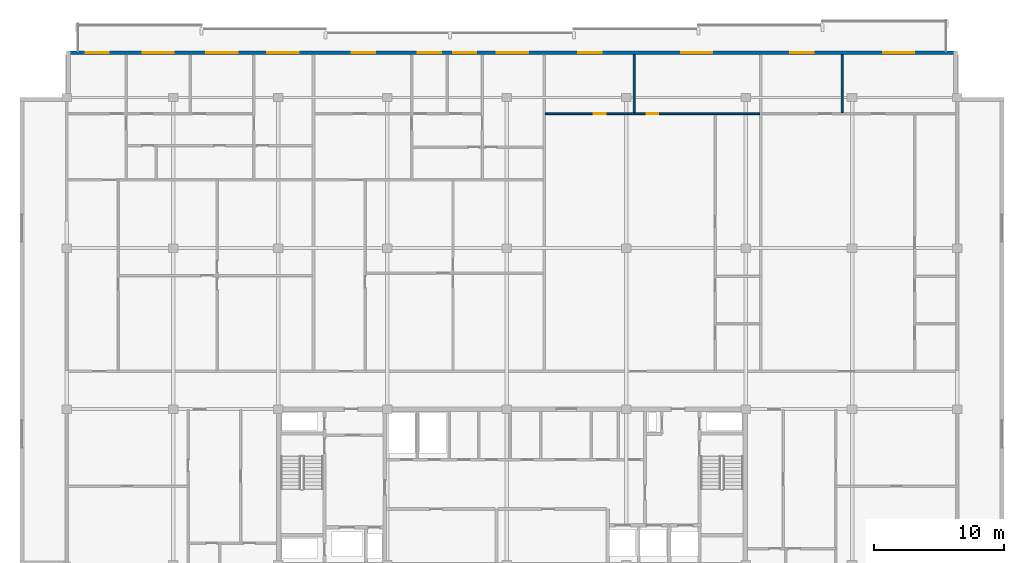
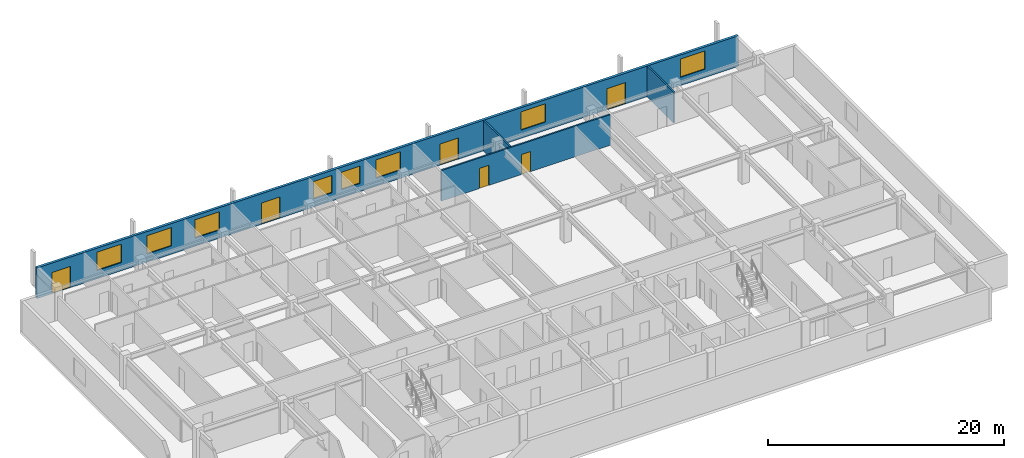
# One storey, part 8 of 11: 8 windows, 6 doors, 4 walls, 14 openings.
"""IFC4 building model written with IfcOpenShell, lengths in metres."""

from ifc_helpers import new_model, si_unit, direction, frame, frame_2d, origin, place, context, subcontext, project, spatial, rectangle, extrude, material, layer, layer_set, type_object, element, fill, save


model = new_model("IFC4")

# Units and contexts
model_context = context("Model", 3, precision=1e-05, world=origin(), true_north=direction((0.0, 1.0)))
body_context = subcontext(model_context, "Body", "Model", "MODEL_VIEW")
ifc_project = project(units=[si_unit("LENGTHUNIT", "METRE"), si_unit("AREAUNIT", "SQUARE_METRE"), si_unit("VOLUMEUNIT", "CUBIC_METRE"), si_unit("PLANEANGLEUNIT", "RADIAN"), si_unit("MASSUNIT", "GRAM", prefix="KILO")], contexts=[model_context])

# Site, building, storey
site_placement = place(None, origin())
site = spatial("IfcSite", under=ifc_project, at=site_placement, CompositionType="ELEMENT")
building_placement = place(site_placement, origin())
building = spatial("IfcBuilding", under=site, at=building_placement, Name="Korimba Cascade Residences", CompositionType="ELEMENT")
storey_placement = place(building_placement, frame((0.0, 0.0, 252.800048828125)))
storey = spatial("IfcBuildingStorey", under=building, at=storey_placement, Name="L73", CompositionType="ELEMENT", Elevation=252.800048828125)

# Wall, openings, doors, windows
ifc_material_1 = material(Name="Precast concrete C40/50", Category="concrete")
ifc_layer_1 = layer(ifc_material_1, 0.25)
ifc_layer_set_1 = layer_set([ifc_layer_1], Name="Precast concrete C40/50")
wall_type_1 = type_object("IfcWallType", Name="EW-LOG-250", PredefinedType="STANDARD", material=ifc_layer_set_1)
wall_1_placement = place(storey_placement, frame((128.39990234375, 94.64990234375, 0.0), z_axis=(0.0, 0.0, 1.0), x_axis=(-1.0, 0.0, 0.0)))
wall_1 = element("IfcWall", 1, at=wall_1_placement, inside=storey, type_object=wall_type_1, Name="L73 T1 Perimeter Stone Wall E06", PredefinedType="STANDARD", context=body_context, shape_type="SweptSolid", body=[
    extrude(rectangle(XDim=68.599853515625, YDim=0.25, at=frame_2d((34.2998046875, 0.0))), origin(), (0.0, 0.0, 1.0), 3.169921875),
])
opening_1_placement = place(wall_1_placement, frame((60.360107421875, 0.0, 0.85009765625)))
opening_1 = element("IfcOpeningElement", 2, at=opening_1_placement, cuts=wall_1, Name="Opening W-01", PredefinedType="OPENING", context=body_context, shape_type="SweptSolid", body=[
    extrude(rectangle(XDim=2.39990234375, YDim=1.89990234375, at=frame_2d((1.199951171875, 0.949951171875))), frame((0.0, 0.135009765625, 0.0), z_axis=(0.0, -1.0, 0.0), x_axis=(1.0, 0.0, 0.0)), (0.0, 0.0, 1.0), 0.27001953125),
])
opening_2_placement = place(wall_1_placement, frame((55.43994140625, 0.0, 0.85009765625)))
opening_2 = element("IfcOpeningElement", 3, at=opening_2_placement, cuts=wall_1, Name="Opening W-01", PredefinedType="OPENING", context=body_context, shape_type="SweptSolid", body=[
    extrude(rectangle(XDim=2.39990234375, YDim=1.89990234375, at=frame_2d((1.199951171875, 0.949951171875))), frame((0.0, 0.135009765625, 0.0), z_axis=(0.0, -1.0, 0.0), x_axis=(1.0, 0.0, 0.0)), (0.0, 0.0, 1.0), 0.27001953125),
])
opening_3_placement = place(wall_1_placement, frame((65.35009765625, 0.0, 0.0)))
opening_3 = element("IfcOpeningElement", 4, at=opening_3_placement, cuts=wall_1, Name="Opening D-LG1", PredefinedType="OPENING", context=body_context, shape_type="SweptSolid", body=[
    extrude(rectangle(XDim=1.800048828125, YDim=2.199951171875, at=frame_2d((0.89990234375, 1.10009765625))), frame((0.0, 0.135009765625, 0.0), z_axis=(0.0, -1.0, 0.0), x_axis=(1.0, 0.0, 0.0)), (0.0, 0.0, 1.0), 0.27001953125),
])
opening_4_placement = place(wall_1_placement, frame((50.74560546875, 0.0, 0.85009765625)))
opening_4 = element("IfcOpeningElement", 5, at=opening_4_placement, cuts=wall_1, Name="Opening W-01", PredefinedType="OPENING", context=body_context, shape_type="SweptSolid", body=[
    extrude(rectangle(XDim=2.39990234375, YDim=1.89990234375, at=frame_2d((1.199951171875, 0.949951171875))), frame((0.0, 0.135009765625, 0.0), z_axis=(0.0, -1.0, 0.0), x_axis=(1.0, 0.0, 0.0)), (0.0, 0.0, 1.0), 0.27001953125),
])
opening_5_placement = place(wall_1_placement, frame((39.760498046875, 0.0, 0.85009765625)))
opening_5 = element("IfcOpeningElement", 6, at=opening_5_placement, cuts=wall_1, Name="Opening W-02", PredefinedType="OPENING", context=body_context, shape_type="SweptSolid", body=[
    extrude(rectangle(XDim=1.800048828125, YDim=1.800048828125, at=frame_2d((0.89990234375, 0.89990234375))), frame((0.0, 0.135009765625, 0.0), z_axis=(0.0, -1.0, 0.0), x_axis=(1.0, 0.0, 0.0)), (0.0, 0.0, 1.0), 0.27001953125),
])
opening_6_placement = place(wall_1_placement, frame((37.041015625, 0.0, 0.85009765625)))
opening_6 = element("IfcOpeningElement", 7, at=opening_6_placement, cuts=wall_1, Name="Opening W-02", PredefinedType="OPENING", context=body_context, shape_type="SweptSolid", body=[
    extrude(rectangle(XDim=1.800048828125, YDim=1.800048828125, at=frame_2d((0.89990234375, 0.89990234375))), frame((0.0, 0.135009765625, 0.0), z_axis=(0.0, -1.0, 0.0), x_axis=(1.0, 0.0, 0.0)), (0.0, 0.0, 1.0), 0.27001953125),
])
opening_7_placement = place(wall_1_placement, frame((44.845458984375, 0.0, 0.0)))
opening_7 = element("IfcOpeningElement", 8, at=opening_7_placement, cuts=wall_1, Name="Opening D-LG1", PredefinedType="OPENING", context=body_context, shape_type="SweptSolid", body=[
    extrude(rectangle(XDim=1.800048828125, YDim=2.199951171875, at=frame_2d((0.89990234375, 1.10009765625))), frame((0.0, 0.135009765625, 0.0), z_axis=(0.0, -1.0, 0.0), x_axis=(1.0, 0.0, 0.0)), (0.0, 0.0, 1.0), 0.27001953125),
])
opening_8_placement = place(wall_1_placement, frame((33.056396484375, 0.0, 0.85009765625)))
opening_8 = element("IfcOpeningElement", 9, at=opening_8_placement, cuts=wall_1, Name="Opening W-01", PredefinedType="OPENING", context=body_context, shape_type="SweptSolid", body=[
    extrude(rectangle(XDim=2.39990234375, YDim=1.89990234375, at=frame_2d((1.199951171875, 0.949951171875))), frame((0.0, 0.135009765625, 0.0), z_axis=(0.0, -1.0, 0.0), x_axis=(1.0, 0.0, 0.0)), (0.0, 0.0, 1.0), 0.27001953125),
])
opening_9_placement = place(wall_1_placement, frame((27.393798828125, 0.0, 0.0)))
opening_9 = element("IfcOpeningElement", 10, at=opening_9_placement, cuts=wall_1, Name="Opening D-LG1", PredefinedType="OPENING", context=body_context, shape_type="SweptSolid", body=[
    extrude(rectangle(XDim=1.800048828125, YDim=2.199951171875, at=frame_2d((0.89990234375, 1.10009765625))), frame((0.0, 0.135009765625, 0.0), z_axis=(0.0, -1.0, 0.0), x_axis=(1.0, 0.0, 0.0)), (0.0, 0.0, 1.0), 0.27001953125),
])
opening_10_placement = place(wall_1_placement, frame((18.878662109375, 0.0, 0.85009765625)))
opening_10 = element("IfcOpeningElement", 11, at=opening_10_placement, cuts=wall_1, Name="Opening W-01", PredefinedType="OPENING", context=body_context, shape_type="SweptSolid", body=[
    extrude(rectangle(XDim=2.39990234375, YDim=1.89990234375, at=frame_2d((1.199951171875, 0.949951171875))), frame((0.0, 0.135009765625, 0.0), z_axis=(0.0, -1.0, 0.0), x_axis=(1.0, 0.0, 0.0)), (0.0, 0.0, 1.0), 0.27001953125),
])
opening_11_placement = place(wall_1_placement, frame((11.048095703125, 0.0, 0.0)))
opening_11 = element("IfcOpeningElement", 12, at=opening_11_placement, cuts=wall_1, Name="Opening D-LG1", PredefinedType="OPENING", context=body_context, shape_type="SweptSolid", body=[
    extrude(rectangle(XDim=1.800048828125, YDim=2.199951171875, at=frame_2d((0.89990234375, 1.10009765625))), frame((0.0, 0.135009765625, 0.0), z_axis=(0.0, -1.0, 0.0), x_axis=(1.0, 0.0, 0.0)), (0.0, 0.0, 1.0), 0.27001953125),
])
opening_12_placement = place(wall_1_placement, frame((3.297607421875, 0.0, 0.85009765625)))
opening_12 = element("IfcOpeningElement", 13, at=opening_12_placement, cuts=wall_1, Name="Opening W-01", PredefinedType="OPENING", context=body_context, shape_type="SweptSolid", body=[
    extrude(rectangle(XDim=2.39990234375, YDim=1.89990234375, at=frame_2d((1.199951171875, 0.949951171875))), frame((0.0, 0.135009765625, 0.0), z_axis=(0.0, -1.0, 0.0), x_axis=(1.0, 0.0, 0.0)), (0.0, 0.0, 1.0), 0.27001953125),
])
ifc_material_2 = material(Name="Glazed Aluminium Loggia Sliding Door", Category="aluminium")
door_type_1 = type_object("IfcDoorType", Name="DR-EXT-LOG", OperationType="NOTDEFINED", PredefinedType="DOOR", material=ifc_material_2)
door_1_placement = place(opening_3_placement, origin())
door_1 = element("IfcDoor", 14, at=door_1_placement, inside=storey, type_object=door_type_1, Name="L73 T1 Loggia Sliding Door 5", OperationType="SLIDING_TO_LEFT", OverallHeight=2.199951171875, OverallWidth=1.800048828125, PredefinedType="DOOR", context=body_context, shape_type="SweptSolid", body=[
    extrude(rectangle(XDim=1.800048828125, YDim=2.199951171875, at=frame_2d((0.89990234375, 1.10009765625))), frame((0.0, 0.02490234375, 0.0), z_axis=(0.0, -1.0, 0.0), x_axis=(1.0, 0.0, 0.0)), (0.0, 0.0, 1.0), 0.050048828125),
])
fill(opening_3, door_1)
door_2_placement = place(opening_7_placement, origin())
door_2 = element("IfcDoor", 15, at=door_2_placement, inside=storey, type_object=door_type_1, Name="L73 T1 Loggia Sliding Door 9", OperationType="SLIDING_TO_LEFT", OverallHeight=2.199951171875, OverallWidth=1.800048828125, PredefinedType="DOOR", context=body_context, shape_type="SweptSolid", body=[
    extrude(rectangle(XDim=1.800048828125, YDim=2.199951171875, at=frame_2d((0.89990234375, 1.10009765625))), frame((0.0, 0.02490234375, 0.0), z_axis=(0.0, -1.0, 0.0), x_axis=(1.0, 0.0, 0.0)), (0.0, 0.0, 1.0), 0.050048828125),
])
fill(opening_7, door_2)
door_3_placement = place(opening_9_placement, origin())
door_3 = element("IfcDoor", 16, at=door_3_placement, inside=storey, type_object=door_type_1, Name="L73 T1 Loggia Sliding Door 11", OperationType="SLIDING_TO_LEFT", OverallHeight=2.199951171875, OverallWidth=1.800048828125, PredefinedType="DOOR", context=body_context, shape_type="SweptSolid", body=[
    extrude(rectangle(XDim=1.800048828125, YDim=2.199951171875, at=frame_2d((0.89990234375, 1.10009765625))), frame((0.0, 0.02490234375, 0.0), z_axis=(0.0, -1.0, 0.0), x_axis=(1.0, 0.0, 0.0)), (0.0, 0.0, 1.0), 0.050048828125),
])
fill(opening_9, door_3)
door_4_placement = place(opening_11_placement, origin())
door_4 = element("IfcDoor", 17, at=door_4_placement, inside=storey, type_object=door_type_1, Name="L73 T1 Loggia Sliding Door 13", OperationType="SLIDING_TO_LEFT", OverallHeight=2.199951171875, OverallWidth=1.800048828125, PredefinedType="DOOR", context=body_context, shape_type="SweptSolid", body=[
    extrude(rectangle(XDim=1.800048828125, YDim=2.199951171875, at=frame_2d((0.89990234375, 1.10009765625))), frame((0.0, 0.02490234375, 0.0), z_axis=(0.0, -1.0, 0.0), x_axis=(1.0, 0.0, 0.0)), (0.0, 0.0, 1.0), 0.050048828125),
])
fill(opening_11, door_4)
ifc_material_3 = material(Name="Double-Glazed Aluminium Window", Category="aluminium")
window_type_1 = type_object("IfcWindowType", Name="WIN-BED-1800", PartitioningType="SINGLE_PANEL", PredefinedType="WINDOW", material=ifc_material_3)
window_1_placement = place(opening_5_placement, origin())
window_1 = element("IfcWindow", 18, at=window_1_placement, inside=storey, type_object=window_type_1, Name="L73 T1 North Facade Window 7", OverallHeight=1.800048828125, OverallWidth=1.800048828125, PartitioningType="SINGLE_PANEL", PredefinedType="WINDOW", context=body_context, shape_type="SweptSolid", body=[
    extrude(rectangle(XDim=1.800048828125, YDim=1.800048828125, at=frame_2d((0.89990234375, 0.89990234375))), frame((0.0, 0.030029296875, 0.0), z_axis=(0.0, -1.0, 0.0), x_axis=(1.0, 0.0, 0.0)), (0.0, 0.0, 1.0), 0.06005859375),
])
fill(opening_5, window_1)
window_2_placement = place(opening_6_placement, origin())
window_2 = element("IfcWindow", 19, at=window_2_placement, inside=storey, type_object=window_type_1, Name="L73 T1 North Facade Window 8", OverallHeight=1.800048828125, OverallWidth=1.800048828125, PartitioningType="SINGLE_PANEL", PredefinedType="WINDOW", context=body_context, shape_type="SweptSolid", body=[
    extrude(rectangle(XDim=1.800048828125, YDim=1.800048828125, at=frame_2d((0.89990234375, 0.89990234375))), frame((0.0, 0.030029296875, 0.0), z_axis=(0.0, -1.0, 0.0), x_axis=(1.0, 0.0, 0.0)), (0.0, 0.0, 1.0), 0.06005859375),
])
fill(opening_6, window_2)
window_type_2 = type_object("IfcWindowType", Name="WIN-RES-2400", PartitioningType="DOUBLE_PANEL_VERTICAL", PredefinedType="WINDOW", material=ifc_material_3)
window_3_placement = place(opening_1_placement, origin())
window_3 = element("IfcWindow", 20, at=window_3_placement, inside=storey, type_object=window_type_2, Name="L73 T1 North Facade Window 3", OverallHeight=1.89990234375, OverallWidth=2.39990234375, PartitioningType="DOUBLE_PANEL_VERTICAL", PredefinedType="WINDOW", context=body_context, shape_type="SweptSolid", body=[
    extrude(rectangle(XDim=2.39990234375, YDim=1.89990234375, at=frame_2d((1.199951171875, 0.949951171875))), frame((0.0, 0.030029296875, 0.0), z_axis=(0.0, -1.0, 0.0), x_axis=(1.0, 0.0, 0.0)), (0.0, 0.0, 1.0), 0.06005859375),
])
fill(opening_1, window_3)
window_4_placement = place(opening_2_placement, origin())
window_4 = element("IfcWindow", 21, at=window_4_placement, inside=storey, type_object=window_type_2, Name="L73 T1 North Facade Window 4", OverallHeight=1.89990234375, OverallWidth=2.39990234375, PartitioningType="DOUBLE_PANEL_VERTICAL", PredefinedType="WINDOW", context=body_context, shape_type="SweptSolid", body=[
    extrude(rectangle(XDim=2.39990234375, YDim=1.89990234375, at=frame_2d((1.199951171875, 0.949951171875))), frame((0.0, 0.030029296875, 0.0), z_axis=(0.0, -1.0, 0.0), x_axis=(1.0, 0.0, 0.0)), (0.0, 0.0, 1.0), 0.06005859375),
])
fill(opening_2, window_4)
window_5_placement = place(opening_4_placement, origin())
window_5 = element("IfcWindow", 22, at=window_5_placement, inside=storey, type_object=window_type_2, Name="L73 T1 North Facade Window 6", OverallHeight=1.89990234375, OverallWidth=2.39990234375, PartitioningType="DOUBLE_PANEL_VERTICAL", PredefinedType="WINDOW", context=body_context, shape_type="SweptSolid", body=[
    extrude(rectangle(XDim=2.39990234375, YDim=1.89990234375, at=frame_2d((1.199951171875, 0.949951171875))), frame((0.0, 0.030029296875, 0.0), z_axis=(0.0, -1.0, 0.0), x_axis=(1.0, 0.0, 0.0)), (0.0, 0.0, 1.0), 0.06005859375),
])
fill(opening_4, window_5)
window_6_placement = place(opening_8_placement, origin())
window_6 = element("IfcWindow", 23, at=window_6_placement, inside=storey, type_object=window_type_2, Name="L73 T1 North Facade Window 10", OverallHeight=1.89990234375, OverallWidth=2.39990234375, PartitioningType="DOUBLE_PANEL_VERTICAL", PredefinedType="WINDOW", context=body_context, shape_type="SweptSolid", body=[
    extrude(rectangle(XDim=2.39990234375, YDim=1.89990234375, at=frame_2d((1.199951171875, 0.949951171875))), frame((0.0, 0.030029296875, 0.0), z_axis=(0.0, -1.0, 0.0), x_axis=(1.0, 0.0, 0.0)), (0.0, 0.0, 1.0), 0.06005859375),
])
fill(opening_8, window_6)
window_7_placement = place(opening_10_placement, origin())
window_7 = element("IfcWindow", 24, at=window_7_placement, inside=storey, type_object=window_type_2, Name="L73 T1 North Facade Window 12", OverallHeight=1.89990234375, OverallWidth=2.39990234375, PartitioningType="DOUBLE_PANEL_VERTICAL", PredefinedType="WINDOW", context=body_context, shape_type="SweptSolid", body=[
    extrude(rectangle(XDim=2.39990234375, YDim=1.89990234375, at=frame_2d((1.199951171875, 0.949951171875))), frame((0.0, 0.030029296875, 0.0), z_axis=(0.0, -1.0, 0.0), x_axis=(1.0, 0.0, 0.0)), (0.0, 0.0, 1.0), 0.06005859375),
])
fill(opening_10, window_7)
window_8_placement = place(opening_12_placement, origin())
window_8 = element("IfcWindow", 25, at=window_8_placement, inside=storey, type_object=window_type_2, Name="L73 T1 North Facade Window 14", OverallHeight=1.89990234375, OverallWidth=2.39990234375, PartitioningType="DOUBLE_PANEL_VERTICAL", PredefinedType="WINDOW", context=body_context, shape_type="SweptSolid", body=[
    extrude(rectangle(XDim=2.39990234375, YDim=1.89990234375, at=frame_2d((1.199951171875, 0.949951171875))), frame((0.0, 0.030029296875, 0.0), z_axis=(0.0, -1.0, 0.0), x_axis=(1.0, 0.0, 0.0)), (0.0, 0.0, 1.0), 0.06005859375),
])
fill(opening_12, window_8)

# Wall
ifc_material_4 = material(Name="Insulated Acoustic Stud Partition", Category="gypsum")
ifc_layer_2 = layer(ifc_material_4, 0.14990234375)
ifc_layer_set_2 = layer_set([ifc_layer_2], Name="Insulated Acoustic Stud Partition")
wall_type_2 = type_object("IfcWallType", Name="WAL-PART-150", PredefinedType="PARTITIONING", material=ifc_layer_set_2)
wall_2_placement = place(storey_placement, frame((103.50390625, 90.030029296875, 0.0), z_axis=(0.0, 0.0, 1.0), x_axis=(0.0, 1.0, 0.0)))
element("IfcWall", 26, at=wall_2_placement, inside=storey, type_object=wall_type_2, Name="L73 Partition Wall WAL-L73-T1-U03-OUTV", PredefinedType="PARTITIONING", context=body_context, shape_type="SweptSolid", body=[
    extrude(rectangle(XDim=4.469970703125, YDim=0.14990234375, at=frame_2d((2.23486328125, 0.0))), origin(), (0.0, 0.0, 1.0), 3.169921875),
])

# Wall, openings, doors
wall_3_placement = place(storey_placement, frame((96.668701171875, 89.949951171875, 0.0), z_axis=(0.0, 0.0, 1.0), x_axis=(1.0, 0.0, 0.0)))
wall_3 = element("IfcWall", 27, at=wall_3_placement, inside=storey, type_object=wall_type_2, Name="L73 Partition Wall WAL-L73-T1-U03-HZ", PredefinedType="PARTITIONING", context=body_context, shape_type="SweptSolid", body=[
    extrude(rectangle(XDim=16.510498046875, YDim=0.14990234375, at=frame_2d((8.25537109375, 0.0))), origin(), (0.0, 0.0, 1.0), 3.169921875),
])
opening_13_placement = place(wall_3_placement, frame((3.7158203125, 0.0, 0.0)))
opening_13 = element("IfcOpeningElement", 28, at=opening_13_placement, cuts=wall_3, Name="Opening D-ST1", PredefinedType="OPENING", context=body_context, shape_type="SweptSolid", body=[
    extrude(rectangle(XDim=0.919921875, YDim=2.080078125, at=frame_2d((0.4599609375, 1.0400390625))), frame((0.0, 0.0849609375, 0.0), z_axis=(0.0, -1.0, 0.0), x_axis=(1.0, 0.0, 0.0)), (0.0, 0.0, 1.0), 0.169921875),
])
opening_14_placement = place(wall_3_placement, frame((7.79541015625, 0.0, 0.0)))
opening_14 = element("IfcOpeningElement", 29, at=opening_14_placement, cuts=wall_3, Name="Opening D-ST1", PredefinedType="OPENING", context=body_context, shape_type="SweptSolid", body=[
    extrude(rectangle(XDim=0.919921875, YDim=2.080078125, at=frame_2d((0.4599609375, 1.0400390625))), frame((0.0, 0.0849609375, 0.0), z_axis=(0.0, -1.0, 0.0), x_axis=(1.0, 0.0, 0.0)), (0.0, 0.0, 1.0), 0.169921875),
])
ifc_material_5 = material(Name="Fire-Rated Core Store Door", Category="wood")
door_type_2 = type_object("IfcDoorType", Name="DR-FD60-920", OperationType="NOTDEFINED", PredefinedType="DOOR", material=ifc_material_5)
door_5_placement = place(opening_13_placement, origin())
door_5 = element("IfcDoor", 30, at=door_5_placement, inside=storey, type_object=door_type_2, Name="L73-T1-U03 Sky Lobby Concierge Door", OperationType="SINGLE_SWING_LEFT", OverallHeight=2.080078125, OverallWidth=0.919921875, PredefinedType="DOOR", context=body_context, shape_type="SweptSolid", body=[
    extrude(rectangle(XDim=0.919921875, YDim=2.080078125, at=frame_2d((0.4599609375, 1.0400390625))), frame((0.0, 0.02490234375, 0.0), z_axis=(0.0, -1.0, 0.0), x_axis=(1.0, 0.0, 0.0)), (0.0, 0.0, 1.0), 0.050048828125),
])
fill(opening_13, door_5)
door_6_placement = place(opening_14_placement, origin())
door_6 = element("IfcDoor", 31, at=door_6_placement, inside=storey, type_object=door_type_2, Name="L73-T1-U03 Horizon Observation Atrium Door", OperationType="SINGLE_SWING_RIGHT", OverallHeight=2.080078125, OverallWidth=0.919921875, PredefinedType="DOOR", context=body_context, shape_type="SweptSolid", body=[
    extrude(rectangle(XDim=0.919921875, YDim=2.080078125, at=frame_2d((0.4599609375, 1.0400390625))), frame((0.0, 0.02490234375, 0.0), z_axis=(0.0, -1.0, 0.0), x_axis=(1.0, 0.0, 0.0)), (0.0, 0.0, 1.0), 0.050048828125),
])
fill(opening_14, door_6)

# Wall
wall_4_placement = place(storey_placement, frame((119.5244140625, 90.030029296875, 0.0), z_axis=(0.0, 0.0, 1.0), x_axis=(0.0, 1.0, 0.0)))
element("IfcWall", 32, at=wall_4_placement, inside=storey, type_object=wall_type_2, Name="L73 Partition Wall WAL-L73-T1-U04-OUTV", PredefinedType="PARTITIONING", context=body_context, shape_type="SweptSolid", body=[
    extrude(rectangle(XDim=4.469970703125, YDim=0.14990234375, at=frame_2d((2.23486328125, 0.0))), origin(), (0.0, 0.0, 1.0), 3.169921875),
])

save(model, "model.ifc")
